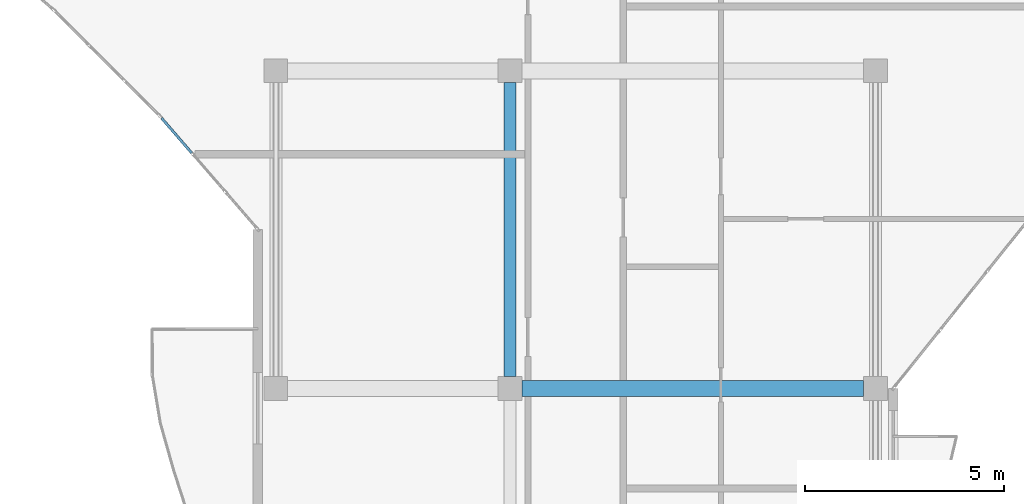
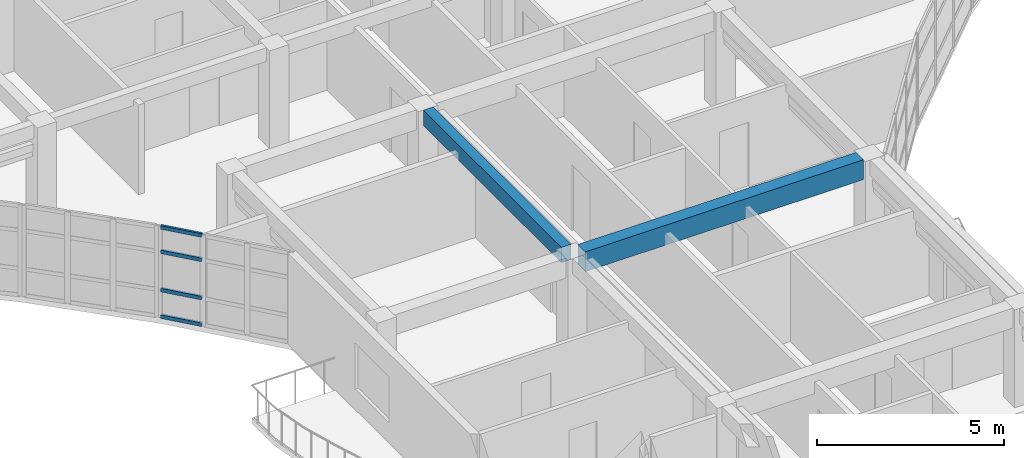
# One storey, part 12 of 72: 4 members, 2 beams, 1 element without a shape of its own.
"""IFC4 building model written with IfcOpenShell, lengths in metres."""

from ifc_helpers import new_model, si_unit, direction, frame, origin, origin_2d, place, context, subcontext, project, spatial, rectangle, hollow_rectangle, extrude, material, layer, layer_set, material_profile, profile_set, type_object, element, aggregate, save


model = new_model("IFC4")

# Units and contexts
model_context = context("Model", 3, precision=1e-05, world=origin(), true_north=direction((0.0, 1.0)))
body_context = subcontext(model_context, "Body", "Model", "MODEL_VIEW")
ifc_project = project(units=[si_unit("LENGTHUNIT", "METRE"), si_unit("AREAUNIT", "SQUARE_METRE"), si_unit("VOLUMEUNIT", "CUBIC_METRE"), si_unit("PLANEANGLEUNIT", "RADIAN"), si_unit("MASSUNIT", "GRAM", prefix="KILO")], contexts=[model_context])

# Site, building, storey
site_placement = place(None, origin())
site = spatial("IfcSite", under=ifc_project, at=site_placement, CompositionType="ELEMENT")
building_placement = place(site_placement, origin())
building = spatial("IfcBuilding", under=site, at=building_placement, Name="Keldmere Railside Commons", CompositionType="ELEMENT")
storey_placement = place(building_placement, frame((0.0, 0.0, 16.9599609375)))
storey = spatial("IfcBuildingStorey", under=building, at=storey_placement, Name="L05", CompositionType="ELEMENT", Elevation=16.9599609375)

# Beams
ifc_material_1 = material(Name="Concrete H-30 (C30/37)", Category="concrete")
ifc_material_profile_1 = material_profile(ifc_material_1, rectangle(XDim=0.39990234375, YDim=0.64990234375, at=origin_2d()), Name="RC-400x650")
ifc_profile_set_1 = profile_set([ifc_material_profile_1], Name="Concrete H-30 (C30/37)")
beam_type_1 = type_object("IfcBeamType", Name="Residential Spine RC Girder 400x650", PredefinedType="BEAM", material=ifc_profile_set_1)
beam_1_placement = place(storey_placement, frame((110.64990234375, 88.0, 2.875), z_axis=(1.0, 0.0, 0.0), x_axis=(0.0, 1.0, 0.0)))
element("IfcBeam", 1, at=beam_1_placement, inside=storey, type_object=beam_type_1, Name="BG-3 BM-L05-1717", PredefinedType="BEAM", context=body_context, shape_type="SweptSolid", body=[
    extrude(rectangle(XDim=0.39990234375, YDim=0.64990234375, at=origin_2d()), origin(), (0.0, 0.0, 1.0), 8.60009765625),
])
ifc_material_profile_2 = material_profile(ifc_material_1, rectangle(XDim=0.300048828125, YDim=0.5, at=origin_2d()), Name="RC-300x500")
ifc_profile_set_2 = profile_set([ifc_material_profile_2], Name="Concrete H-30 (C30/37)")
beam_type_2 = type_object("IfcBeamType", Name="Secondary Frame RC Beam 300x500", PredefinedType="BEAM", material=ifc_profile_set_2)
beam_2_placement = place(storey_placement, frame((110.35009765625, 88.300048828125, 2.949951171875), z_axis=(0.0, 1.0, 0.0), x_axis=(-1.0, 0.0, 0.0)))
element("IfcBeam", 2, at=beam_2_placement, inside=storey, type_object=beam_type_2, Name="BG-5 BM-L05-1826", PredefinedType="BEAM", context=body_context, shape_type="SweptSolid", body=[
    extrude(rectangle(XDim=0.300048828125, YDim=0.5, at=origin_2d()), origin(), (0.0, 0.0, 1.0), 7.39990234375),
])

# Curtain wall, members
ifc_material_2 = material(Name="Thermally Broken Aluminium", Category="aluminium")
ifc_layer = layer(ifc_material_2, 0.159912109375, Name="Court Chord Wintergarden CW 4800x2850")
ifc_layer_set = layer_set([ifc_layer], Name="Thermally Broken Aluminium")
curtain_wall_type = type_object("IfcCurtainWallType", Name="Court Chord Wintergarden CW 4800x2850", PredefinedType="NOTDEFINED", material=ifc_layer_set)
curtain_wall_placement = place(storey_placement, origin())
curtain_wall = element("IfcCurtainWall", 3, at=curtain_wall_placement, inside=storey, type_object=curtain_wall_type, Name="CW-12 CW-L05-120", PredefinedType="NOTDEFINED")
ifc_material_profile_3 = material_profile(ifc_material_2, hollow_rectangle(XDim=0.06494140625, YDim=0.1201171875, WallThickness=0.00390625, at=origin_2d()), Name="ALU-TRAN-65x120")
ifc_profile_set_3 = profile_set([ifc_material_profile_3], Name="Thermally Broken Aluminium")
member_type = type_object("IfcMemberType", Name="Unitised Curtain Wall Transom 65x120", PredefinedType="USERDEFINED", material=ifc_profile_set_3)
member_1_placement = place(storey_placement, frame((102.33203125, 93.929931640625, 0.032470703125), z_axis=(-0.653849663033, 0.756624489527, 0.0), x_axis=(-0.756624489527, -0.653849663033, 0.0)))
member_1 = element("IfcMember", 4, at=member_1_placement, type_object=member_type, Name="CW-12 transom 3.1", ObjectType="TRANSOM", PredefinedType="USERDEFINED", context=body_context, shape_type="SweptSolid", body=[
    extrude(hollow_rectangle(XDim=0.06494140625, YDim=0.1201171875, WallThickness=0.00390625, at=origin_2d()), origin(), (0.0, 0.0, 1.0), 1.16162109375),
])
member_2_placement = place(storey_placement, frame((102.33203125, 93.929931640625, 0.900146484375), z_axis=(-0.653849663033, 0.756624489527, 0.0), x_axis=(-0.756624489527, -0.653849663033, 0.0)))
member_2 = element("IfcMember", 5, at=member_2_placement, type_object=member_type, Name="CW-12 transom 3.2", ObjectType="TRANSOM", PredefinedType="USERDEFINED", context=body_context, shape_type="SweptSolid", body=[
    extrude(hollow_rectangle(XDim=0.06494140625, YDim=0.1201171875, WallThickness=0.00390625, at=origin_2d()), origin(), (0.0, 0.0, 1.0), 1.16162109375),
])
member_3_placement = place(storey_placement, frame((102.33203125, 93.929931640625, 2.150146484375), z_axis=(-0.653849663033, 0.756624489527, 0.0), x_axis=(-0.756624489527, -0.653849663033, 0.0)))
member_3 = element("IfcMember", 6, at=member_3_placement, type_object=member_type, Name="CW-12 transom 3.3", ObjectType="TRANSOM", PredefinedType="USERDEFINED", context=body_context, shape_type="SweptSolid", body=[
    extrude(hollow_rectangle(XDim=0.06494140625, YDim=0.1201171875, WallThickness=0.00390625, at=origin_2d()), origin(), (0.0, 0.0, 1.0), 1.16162109375),
])
member_4_placement = place(storey_placement, frame((102.33203125, 93.929931640625, 2.947509765625), z_axis=(-0.653849663033, 0.756624489527, 0.0), x_axis=(-0.756624489527, -0.653849663033, 0.0)))
member_4 = element("IfcMember", 7, at=member_4_placement, type_object=member_type, Name="CW-12 transom 3.4", ObjectType="TRANSOM", PredefinedType="USERDEFINED", context=body_context, shape_type="SweptSolid", body=[
    extrude(hollow_rectangle(XDim=0.06494140625, YDim=0.1201171875, WallThickness=0.00390625, at=origin_2d()), origin(), (0.0, 0.0, 1.0), 1.16162109375),
])
aggregate(curtain_wall, [member_1, member_2, member_3, member_4])

save(model, "model.ifc")
